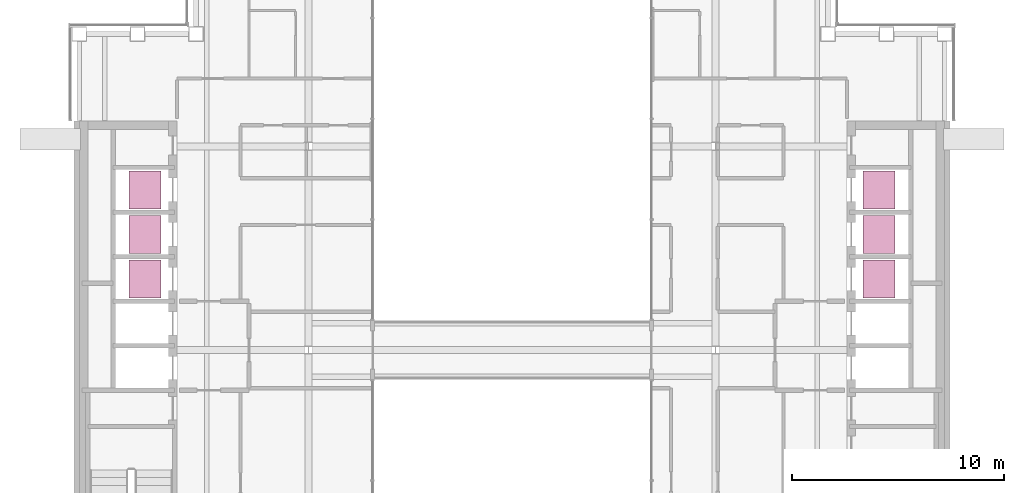
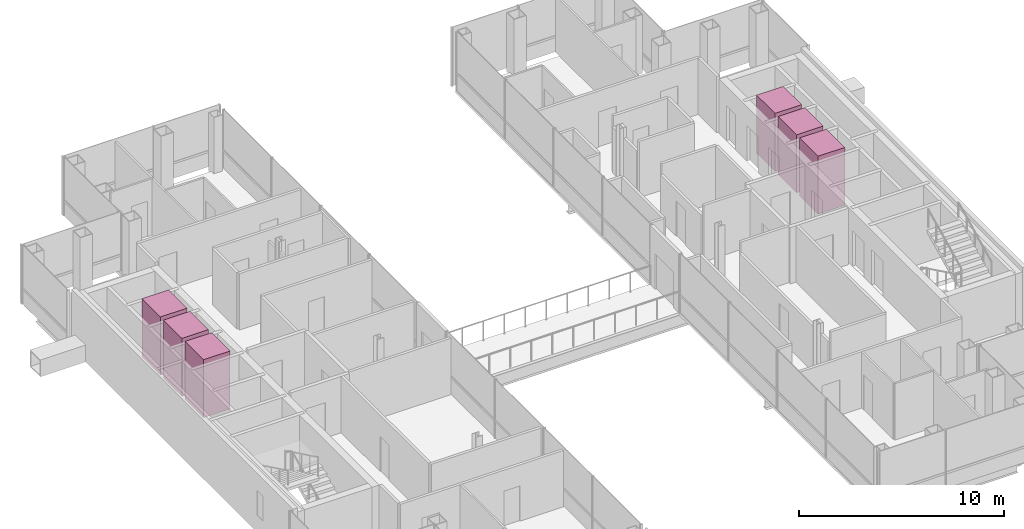
# One storey, part 16 of 16: 6 transport elements.
"""IFC4 building model written with IfcOpenShell, lengths in metres."""

from ifc_helpers import new_model, si_unit, direction, frame, origin, origin_2d, place, context, subcontext, project, spatial, rectangle, extrude, material, type_object, element, save


model = new_model("IFC4")

# Units and contexts
model_context = context("Model", 3, precision=1e-05, world=origin(), true_north=direction((0.0, 1.0)))
body_context = subcontext(model_context, "Body", "Model", "MODEL_VIEW")
ifc_project = project(units=[si_unit("LENGTHUNIT", "METRE"), si_unit("AREAUNIT", "SQUARE_METRE"), si_unit("VOLUMEUNIT", "CUBIC_METRE"), si_unit("PLANEANGLEUNIT", "RADIAN"), si_unit("MASSUNIT", "GRAM", prefix="KILO")], contexts=[model_context])

# Site, building, storey
site_placement = place(None, origin())
site = spatial("IfcSite", under=ifc_project, at=site_placement, CompositionType="ELEMENT")
building_placement = place(site_placement, origin())
building = spatial("IfcBuilding", under=site, at=building_placement, Name="Cobrizo Arcos Hotel Tower", CompositionType="ELEMENT")
storey_placement = place(building_placement, frame((0.0, 0.0, 229.5)))
storey = spatial("IfcBuildingStorey", under=building, at=storey_placement, Name="L60", CompositionType="ELEMENT", Elevation=229.5)

# Transport elements
ifc_material = material(Name="Stainless steel car", Category="steel")
transport_element_type = type_object("IfcTransportElementType", Name="Lift car High 1.8x1.5", PredefinedType="ELEVATOR", material=ifc_material)
for number, where, z_axis, x_axis, name in (
    (1, (-17.300048828125, 3.35009765625, 0.0), (0.0, 0.0, 1.0), (1.0, 0.0, 0.0), "High-rise passenger lift W1"),
    (2, (-17.300048828125, 5.449951171875, 0.0), (0.0, 0.0, 1.0), (1.0, 0.0, 0.0), "High-rise passenger lift W2"),
    (3, (-17.300048828125, 7.550048828125, 0.0), (0.0, 0.0, 1.0), (1.0, 0.0, 0.0), "High-rise passenger lift W3"),
    (4, (17.300048828125, 3.35009765625, 0.0), (0.0, 0.0, 1.0), (1.0, 0.0, 0.0), "High-rise passenger lift E1"),
    (5, (17.300048828125, 5.449951171875, 0.0), (0.0, 0.0, 1.0), (1.0, 0.0, 0.0), "High-rise passenger lift E2"),
    (6, (17.300048828125, 7.550048828125, 0.0), (0.0, 0.0, 1.0), (1.0, 0.0, 0.0), "High-rise passenger lift E3"),
):
    element("IfcTransportElement", number, at=place(storey_placement, frame(where, z_axis=z_axis, x_axis=x_axis)), inside=storey, type_object=transport_element_type, Name=name, PredefinedType="ELEVATOR", context=body_context, shape_type="SweptSolid", body=[
        extrude(rectangle(XDim=1.5, YDim=1.800048828125, at=origin_2d()), origin(), (0.0, 0.0, 1.0), 3.449951171875),
    ])

save(model, "model.ifc")
